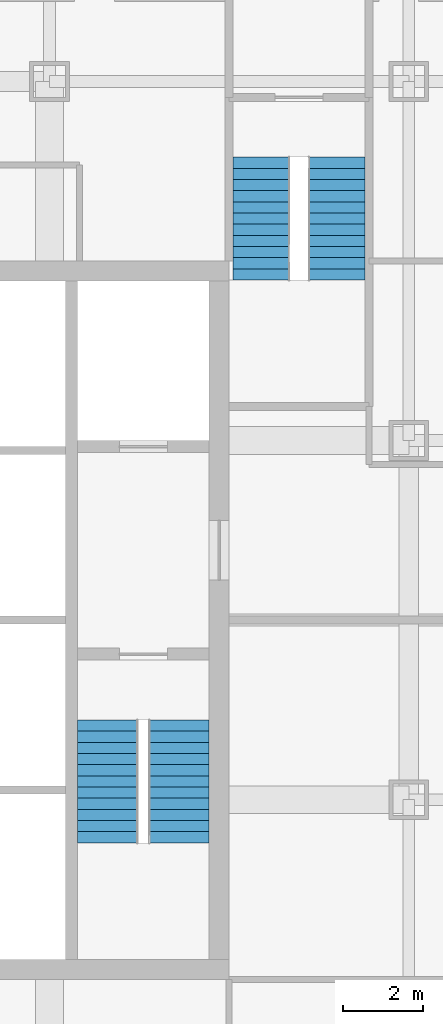
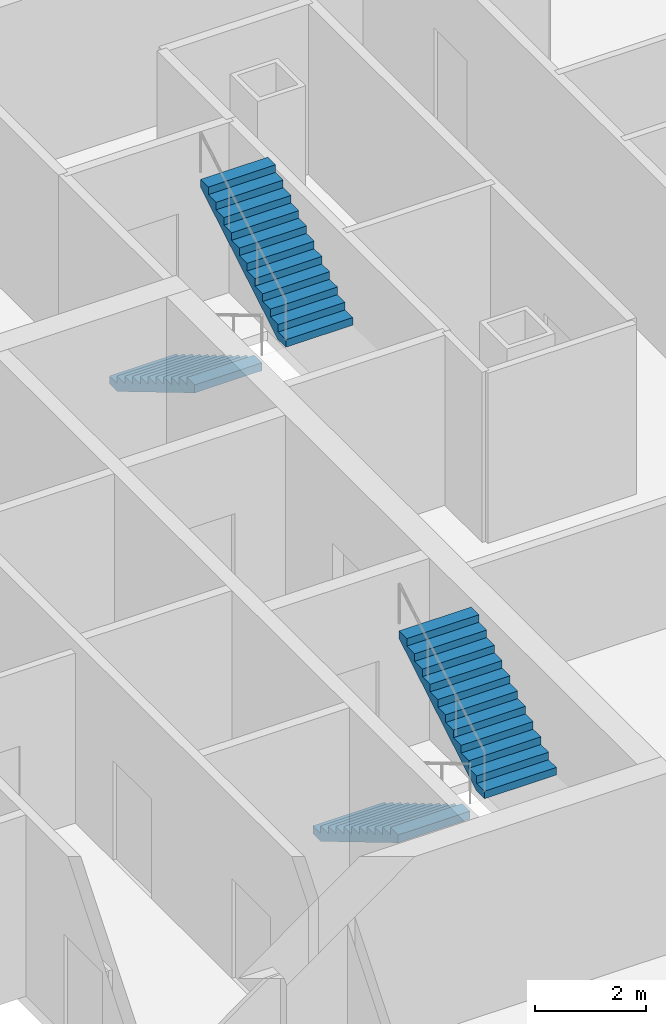
# One storey, part 12 of 13: 4 stair flights, 2 elements without a shape of their own.
"""IFC4 building model written with IfcOpenShell, lengths in metres."""

from ifc_helpers import new_model, si_unit, direction, frame, origin, place, context, subcontext, project, spatial, polyline, outline, extrude, material, type_object, element, aggregate, save


model = new_model("IFC4")

# Units and contexts
model_context = context("Model", 3, precision=1e-05, world=origin(), true_north=direction((0.0, 1.0)))
body_context = subcontext(model_context, "Body", "Model", "MODEL_VIEW")
ifc_project = project(units=[si_unit("LENGTHUNIT", "METRE"), si_unit("AREAUNIT", "SQUARE_METRE"), si_unit("VOLUMEUNIT", "CUBIC_METRE"), si_unit("PLANEANGLEUNIT", "RADIAN"), si_unit("MASSUNIT", "GRAM", prefix="KILO")], contexts=[model_context])

# Site, building, storey
site_placement = place(None, origin())
site = spatial("IfcSite", under=ifc_project, at=site_placement, CompositionType="ELEMENT")
building_placement = place(site_placement, origin())
building = spatial("IfcBuilding", under=site, at=building_placement, Name="Malebo Sky Hospital", CompositionType="ELEMENT")
storey_placement = place(building_placement, frame((0.0, 0.0, 39.0)))
storey = spatial("IfcBuildingStorey", under=building, at=storey_placement, Name="L08", CompositionType="ELEMENT", Elevation=39.0)

# Stair, stair flights
ifc_material = material(Name="Concrete C40/50", Category="concrete")
stair_type_1 = type_object("IfcStairType", Name="HALF-TURN STAIR 1400 R167", PredefinedType="HALF_TURN_STAIR", material=ifc_material)
stair_1_placement = place(storey_placement, origin())
stair_1 = element("IfcStair", 1, at=stair_1_placement, inside=storey, type_object=stair_type_1, Name="Stair S3 L08 type ST1B", PredefinedType="HALF_TURN_STAIR")
stair_flight_type_1 = type_object("IfcStairFlightType", Name="STAIR FLIGHT 1400 R167", PredefinedType="STRAIGHT", material=ifc_material)
stair_flight_1_placement = place(storey_placement, frame((69.800048828125, 73.60009765625, 0.0), z_axis=(0.0, 0.0, 1.0), x_axis=(0.0, -1.0, 0.0)))
stair_flight_1 = element("IfcStairFlight", 2, at=stair_flight_1_placement, type_object=stair_flight_type_1, Name="S3 flight 1 type SF1B", NumberOfRisers=12, NumberOfTreads=11, PredefinedType="STRAIGHT", RiserHeight=0.166666667, TreadLength=0.28, context=body_context, shape_type="SweptSolid", body=[
    extrude(outline(polyline([(0.0, 0.0), (0.0, 0.166748046875), (0.280029296875, 0.166748046875), (0.280029296875, 0.333251953125), (0.56005859375, 0.333251953125), (0.56005859375, 0.5), (0.840087890625, 0.5), (0.840087890625, 0.666748046875), (1.1201171875, 0.666748046875), (1.1201171875, 0.833251953125), (1.39990234375, 0.833251953125), (1.39990234375, 1.0), (1.679931640625, 1.0), (1.679931640625, 1.166748046875), (1.9599609375, 1.166748046875), (1.9599609375, 1.333251953125), (2.239990234375, 1.333251953125), (2.239990234375, 1.5), (2.52001953125, 1.5), (2.52001953125, 1.666748046875), (2.800048828125, 1.666748046875), (2.800048828125, 1.833251953125), (3.080078125, 1.833251953125), (3.080078125, 2.0), (3.080078125, 1.658935546875), (0.29296875, 0.0), (0.0, 0.0)])), frame((0.0, 0.699951171875, 0.0), z_axis=(0.0, -1.0, 0.0), x_axis=(1.0, 0.0, 0.0)), (0.0, 0.0, 1.0), 1.39990234375),
])
stair_flight_2_placement = place(storey_placement, frame((71.699951171875, 70.52001953125, 2.0), z_axis=(0.0, 0.0, 1.0), x_axis=(0.0, 1.0, 0.0)))
stair_flight_2 = element("IfcStairFlight", 3, at=stair_flight_2_placement, type_object=stair_flight_type_1, Name="S3 flight 2 type SF1B", NumberOfRisers=12, NumberOfTreads=11, PredefinedType="STRAIGHT", RiserHeight=0.166666667, TreadLength=0.28, context=body_context, shape_type="SweptSolid", body=[
    extrude(outline(polyline([(0.0, 0.0), (0.0, 0.166748046875), (0.280029296875, 0.166748046875), (0.280029296875, 0.333251953125), (0.56005859375, 0.333251953125), (0.56005859375, 0.5), (0.840087890625, 0.5), (0.840087890625, 0.666748046875), (1.1201171875, 0.666748046875), (1.1201171875, 0.833251953125), (1.39990234375, 0.833251953125), (1.39990234375, 1.0), (1.679931640625, 1.0), (1.679931640625, 1.166748046875), (1.9599609375, 1.166748046875), (1.9599609375, 1.333251953125), (2.239990234375, 1.333251953125), (2.239990234375, 1.5), (2.52001953125, 1.5), (2.52001953125, 1.666748046875), (2.800048828125, 1.666748046875), (2.800048828125, 1.833251953125), (3.080078125, 1.833251953125), (3.080078125, 2.0), (3.080078125, 1.658935546875), (0.29296875, 0.0), (0.0, 0.0)])), frame((0.0, 0.699951171875, 0.0), z_axis=(0.0, -1.0, 0.0), x_axis=(1.0, 0.0, 0.0)), (0.0, 0.0, 1.0), 1.39990234375),
])
aggregate(stair_1, [stair_flight_1, stair_flight_2])

stair_type_2 = type_object("IfcStairType", Name="HALF-TURN STAIR 1500 R167", PredefinedType="HALF_TURN_STAIR", material=ifc_material)
stair_2_placement = place(storey_placement, origin())
stair_2 = element("IfcStair", 4, at=stair_2_placement, inside=storey, type_object=stair_type_2, Name="Stair S2 L08 type ST1", PredefinedType="HALF_TURN_STAIR")
stair_flight_type_2 = type_object("IfcStairFlightType", Name="STAIR FLIGHT 1500 R167", PredefinedType="STRAIGHT", material=ifc_material)
stair_flight_3_placement = place(storey_placement, frame((65.949951171875, 59.5, 0.0), z_axis=(0.0, 0.0, 1.0), x_axis=(0.0, -1.0, 0.0)))
stair_flight_3 = element("IfcStairFlight", 5, at=stair_flight_3_placement, type_object=stair_flight_type_2, Name="S2 flight 1 type SF1", NumberOfRisers=12, NumberOfTreads=11, PredefinedType="STRAIGHT", RiserHeight=0.166666667, TreadLength=0.28, context=body_context, shape_type="SweptSolid", body=[
    extrude(outline(polyline([(0.0, 0.0), (0.0, 0.166748046875), (0.280029296875, 0.166748046875), (0.280029296875, 0.333251953125), (0.56005859375, 0.333251953125), (0.56005859375, 0.5), (0.840087890625, 0.5), (0.840087890625, 0.666748046875), (1.1201171875, 0.666748046875), (1.1201171875, 0.833251953125), (1.39990234375, 0.833251953125), (1.39990234375, 1.0), (1.679931640625, 1.0), (1.679931640625, 1.166748046875), (1.9599609375, 1.166748046875), (1.9599609375, 1.333251953125), (2.239990234375, 1.333251953125), (2.239990234375, 1.5), (2.52001953125, 1.5), (2.52001953125, 1.666748046875), (2.800048828125, 1.666748046875), (2.800048828125, 1.833251953125), (3.080078125, 1.833251953125), (3.080078125, 2.0), (3.080078125, 1.658935546875), (0.29296875, 0.0), (0.0, 0.0)])), frame((0.0, 0.75, 0.0), z_axis=(0.0, -1.0, 0.0), x_axis=(1.0, 0.0, 0.0)), (0.0, 0.0, 1.0), 1.5),
])
stair_flight_4_placement = place(storey_placement, frame((67.75, 56.419921875, 2.0), z_axis=(0.0, 0.0, 1.0), x_axis=(0.0, 1.0, 0.0)))
stair_flight_4 = element("IfcStairFlight", 6, at=stair_flight_4_placement, type_object=stair_flight_type_2, Name="S2 flight 2 type SF1", NumberOfRisers=12, NumberOfTreads=11, PredefinedType="STRAIGHT", RiserHeight=0.166666667, TreadLength=0.28, context=body_context, shape_type="SweptSolid", body=[
    extrude(outline(polyline([(0.0, 0.0), (0.0, 0.166748046875), (0.280029296875, 0.166748046875), (0.280029296875, 0.333251953125), (0.56005859375, 0.333251953125), (0.56005859375, 0.5), (0.840087890625, 0.5), (0.840087890625, 0.666748046875), (1.1201171875, 0.666748046875), (1.1201171875, 0.833251953125), (1.39990234375, 0.833251953125), (1.39990234375, 1.0), (1.679931640625, 1.0), (1.679931640625, 1.166748046875), (1.9599609375, 1.166748046875), (1.9599609375, 1.333251953125), (2.239990234375, 1.333251953125), (2.239990234375, 1.5), (2.52001953125, 1.5), (2.52001953125, 1.666748046875), (2.800048828125, 1.666748046875), (2.800048828125, 1.833251953125), (3.080078125, 1.833251953125), (3.080078125, 2.0), (3.080078125, 1.658935546875), (0.29296875, 0.0), (0.0, 0.0)])), frame((0.0, 0.75, 0.0), z_axis=(0.0, -1.0, 0.0), x_axis=(1.0, 0.0, 0.0)), (0.0, 0.0, 1.0), 1.5),
])
aggregate(stair_2, [stair_flight_3, stair_flight_4])

save(model, "model.ifc")
